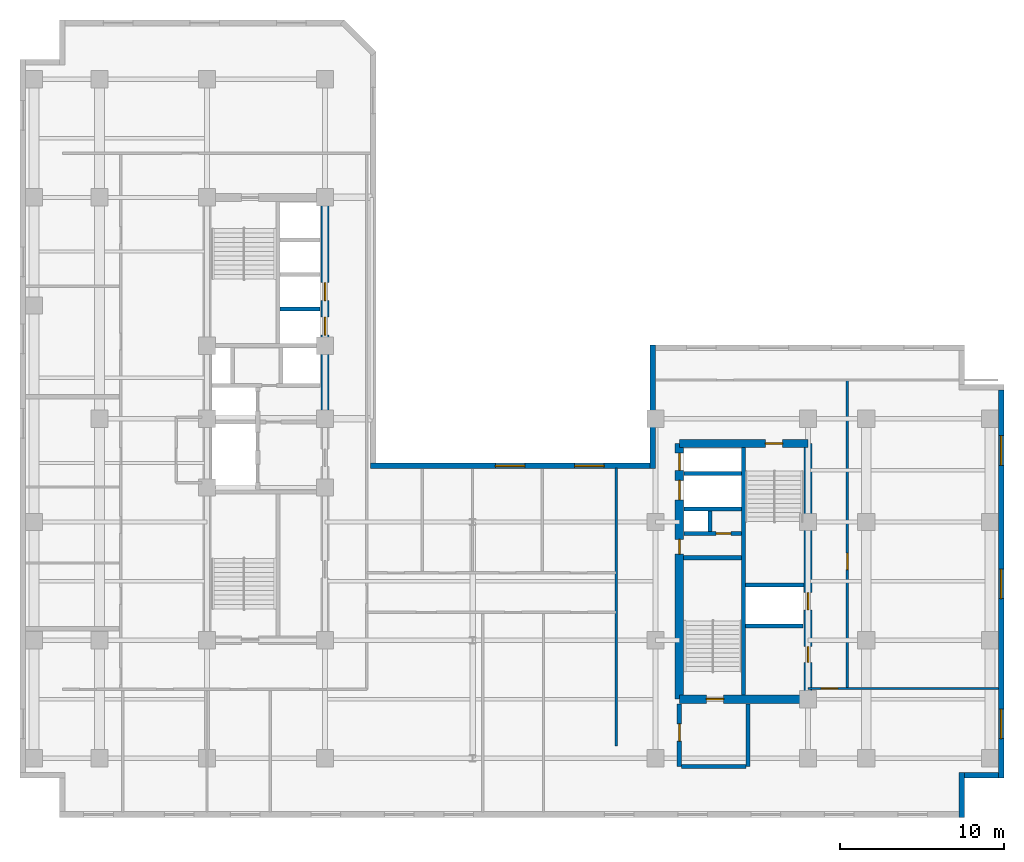
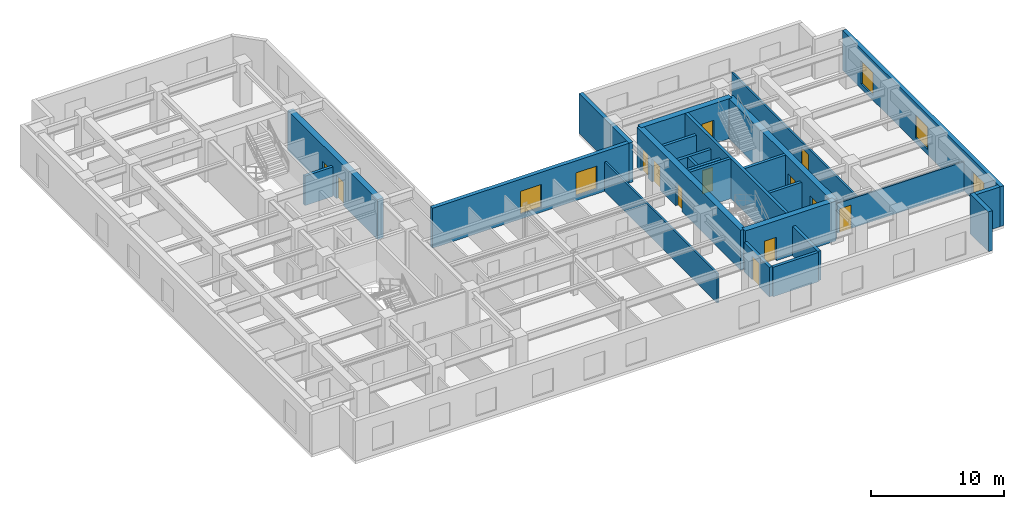
# One storey, part 5 of 9: 25 walls, 13 doors, 5 windows, 18 openings.
"""IFC4 building model written with IfcOpenShell, lengths in metres."""

from ifc_helpers import new_model, entity, si_unit, converted_unit, direction, frame, origin_with_axes, origin_2d_with_axis, place, context, subcontext, project, spatial, polyline, rectangle, outline, extrude, material, layer, layer_set, type_object, element, fill, save


model = new_model("IFC4")

# Units and contexts
model_context = context("Model", 3, precision=1e-05, world=origin_with_axes(), true_north=direction((0.0, 1.0)))
body_context = subcontext(model_context, "Body", "Model", "MODEL_VIEW")
ifc_project = project(units=[si_unit("LENGTHUNIT", "METRE"), si_unit("AREAUNIT", "SQUARE_METRE"), si_unit("VOLUMEUNIT", "CUBIC_METRE"), converted_unit("PLANEANGLEUNIT", "DEGREE", entity("IfcPlaneAngleMeasure", 0.017453292519943295), si_unit("PLANEANGLEUNIT", "RADIAN"), dimensions=[0, 0, 0, 0, 0, 0, 0]), si_unit("MASSUNIT", "GRAM", prefix="KILO"), si_unit("THERMODYNAMICTEMPERATUREUNIT", "KELVIN")], contexts=[model_context])

# Site, building, storey
site_placement = place(None, origin_with_axes())
site = spatial("IfcSite", under=ifc_project, at=site_placement, CompositionType="ELEMENT")
building_placement = place(site_placement, origin_with_axes())
building = spatial("IfcBuilding", under=site, at=building_placement, Name="Varnlund Millrace Tower", CompositionType="ELEMENT")
storey_placement = place(building_placement, frame((0.0, 0.0, 132.9), z_axis=(0.0, 0.0, 1.0), x_axis=(1.0, 0.0, 0.0)))
storey = spatial("IfcBuildingStorey", under=building, at=storey_placement, Name="L32", CompositionType="ELEMENT", Elevation=132.9)

# Wall, openings, doors
ifc_material_1 = material(Name="Concrete C70/85", Category="concrete")
ifc_layer_1 = layer(ifc_material_1, 0.5, Name="Concrete C70/85")
ifc_layer_set_1 = layer_set([ifc_layer_1], Name="Concrete C70/85")
wall_type_1 = type_object("IfcWallType", Name="Type-CoreWall-Shear-500-C70", PredefinedType="SHEAR", material=ifc_layer_set_1)
wall_1_placement = place(storey_placement, frame((18.6, 24.3, 0.0), z_axis=(0.0, 0.0, 1.0), x_axis=(0.0, 1.0, 0.0)))
wall_1 = element("IfcWall", 1, at=wall_1_placement, inside=storey, type_object=wall_type_1, Name="Type-CoreWall-Shear-500-C70", PredefinedType="SHEAR", context=body_context, shape_type="SweptSolid", body=[
    extrude(outline(polyline([(0.0, -0.25), (13.5, -0.25), (13.5, 0.25), (0.0, 0.25), (0.0, -0.25)])), origin_with_axes(), (0.0, 0.0, 1.0), 3.66),
])
opening_1_placement = place(wall_1_placement, frame((5.65, 0.0, 0.0), z_axis=(0.0, 0.0, 1.0), x_axis=(1.0, 0.0, 0.0)))
opening_1 = element("IfcOpeningElement", 2, at=opening_1_placement, cuts=wall_1, Name="Opening L32:LD-ELV-M1", PredefinedType="OPENING", context=body_context, shape_type="SweptSolid", body=[
    extrude(rectangle(XDim=1.1, YDim=0.52, at=origin_2d_with_axis()), origin_with_axes(), (0.0, 0.0, 1.0), 2.15),
])
opening_2_placement = place(wall_1_placement, frame((7.75, 0.0, 0.0), z_axis=(0.0, 0.0, 1.0), x_axis=(1.0, 0.0, 0.0)))
opening_2 = element("IfcOpeningElement", 3, at=opening_2_placement, cuts=wall_1, Name="Opening L32:LD-ELV-M2", PredefinedType="OPENING", context=body_context, shape_type="SweptSolid", body=[
    extrude(rectangle(XDim=1.1, YDim=0.52, at=origin_2d_with_axis()), origin_with_axes(), (0.0, 0.0, 1.0), 2.15),
])
ifc_material_2 = material(Name="Stainless and architectural bronze sliding landing door")
door_type_1 = type_object("IfcDoorType", Name="Type-LiftLandingDoor-1100X2150", OperationType="NOTDEFINED", PredefinedType="DOOR", material=ifc_material_2)
door_1_placement = place(wall_1_placement, frame((5.65, 0.0, 0.0), z_axis=(0.0, 0.0, 1.0), x_axis=(1.0, 0.0, 0.0)))
door_1 = element("IfcDoor", 4, at=door_1_placement, inside=storey, type_object=door_type_1, Name="Type-LiftLandingDoor-1100X2150", OperationType="SLIDING_TO_LEFT", OverallHeight=2.15, OverallWidth=1.1, PredefinedType="DOOR", context=body_context, shape_type="SweptSolid", body=[
    extrude(rectangle(XDim=1.1, YDim=0.09, at=origin_2d_with_axis()), origin_with_axes(), (0.0, 0.0, 1.0), 2.15),
])
fill(opening_1, door_1)
door_2_placement = place(wall_1_placement, frame((7.75, 0.0, 0.0), z_axis=(0.0, 0.0, 1.0), x_axis=(1.0, 0.0, 0.0)))
door_2 = element("IfcDoor", 5, at=door_2_placement, inside=storey, type_object=door_type_1, Name="Type-LiftLandingDoor-1100X2150", OperationType="SLIDING_TO_RIGHT", OverallHeight=2.15, OverallWidth=1.1, PredefinedType="DOOR", context=body_context, shape_type="SweptSolid", body=[
    extrude(rectangle(XDim=1.1, YDim=0.09, at=origin_2d_with_axis()), origin_with_axes(), (0.0, 0.0, 1.0), 2.15),
])
fill(opening_2, door_2)

wall_2_placement = place(storey_placement, frame((40.2, 7.2, 0.0), z_axis=(0.0, 0.0, 1.0), x_axis=(0.0, 1.0, 0.0)))
wall_2 = element("IfcWall", 6, at=wall_2_placement, inside=storey, type_object=wall_type_1, Name="Type-CoreWall-Shear-500-C70", PredefinedType="SHEAR", context=body_context, shape_type="SweptSolid", body=[
    extrude(outline(polyline([(0.0, -0.25), (15.6, -0.25), (15.6, 0.25), (0.0, 0.25), (0.0, -0.25)])), origin_with_axes(), (0.0, 0.0, 1.0), 3.66),
])
opening_3_placement = place(wall_2_placement, frame((14.475, 0.0, 0.0), z_axis=(0.0, 0.0, 1.0), x_axis=(1.0, 0.0, 0.0)))
opening_3 = element("IfcOpeningElement", 7, at=opening_3_placement, cuts=wall_2, Name="Opening L32:LD-ELV-M4", PredefinedType="OPENING", context=body_context, shape_type="SweptSolid", body=[
    extrude(rectangle(XDim=1.05, YDim=0.52, at=origin_2d_with_axis()), origin_with_axes(), (0.0, 0.0, 1.0), 2.15),
])
opening_4_placement = place(wall_2_placement, frame((12.75, 0.0, 0.0), z_axis=(0.0, 0.0, 1.0), x_axis=(1.0, 0.0, 0.0)))
opening_4 = element("IfcOpeningElement", 8, at=opening_4_placement, cuts=wall_2, Name="Opening L32:LD-SRV2", PredefinedType="OPENING", context=body_context, shape_type="SweptSolid", body=[
    extrude(rectangle(XDim=1.2, YDim=0.52, at=origin_2d_with_axis()), origin_with_axes(), (0.0, 0.0, 1.0), 2.15),
])
opening_5_placement = place(wall_2_placement, frame((9.3, 0.0, 0.0), z_axis=(0.0, 0.0, 1.0), x_axis=(1.0, 0.0, 0.0)))
opening_5 = element("IfcOpeningElement", 9, at=opening_5_placement, cuts=wall_2, Name="Opening L32:DR-CB-JAN", PredefinedType="OPENING", context=body_context, shape_type="SweptSolid", body=[
    extrude(rectangle(XDim=0.9, YDim=0.52, at=origin_2d_with_axis()), origin_with_axes(), (0.0, 0.0, 1.0), 2.15),
])
ifc_material_3 = material(Name="Fire-rated hollow steel service closet door", Category="steel")
door_type_2 = type_object("IfcDoorType", Name="Type-FireDoor-Closet-900X2150", OperationType="NOTDEFINED", PredefinedType="DOOR", material=ifc_material_3)
door_3_placement = place(wall_2_placement, frame((9.3, 0.0, 0.0), z_axis=(0.0, 0.0, 1.0), x_axis=(1.0, 0.0, 0.0)))
door_3 = element("IfcDoor", 10, at=door_3_placement, inside=storey, type_object=door_type_2, Name="Type-FireDoor-Closet-900X2150", OperationType="SINGLE_SWING_RIGHT", OverallHeight=2.15, OverallWidth=0.9, PredefinedType="DOOR", context=body_context, shape_type="SweptSolid", body=[
    extrude(rectangle(XDim=0.9, YDim=0.09, at=origin_2d_with_axis()), origin_with_axes(), (0.0, 0.0, 1.0), 2.15),
])
fill(opening_5, door_3)
ifc_material_4 = material(Name="Architectural bronze sliding landing door")
door_type_3 = type_object("IfcDoorType", Name="Type-LiftLandingDoor-Compact-1050X2150", OperationType="NOTDEFINED", PredefinedType="DOOR", material=ifc_material_4)
door_4_placement = place(wall_2_placement, frame((14.475, 0.0, 0.0), z_axis=(0.0, 0.0, 1.0), x_axis=(1.0, 0.0, 0.0)))
door_4 = element("IfcDoor", 11, at=door_4_placement, inside=storey, type_object=door_type_3, Name="Type-LiftLandingDoor-Compact-1050X2150", OperationType="SLIDING_TO_RIGHT", OverallHeight=2.15, OverallWidth=1.05, PredefinedType="DOOR", context=body_context, shape_type="SweptSolid", body=[
    extrude(rectangle(XDim=1.05, YDim=0.09, at=origin_2d_with_axis()), origin_with_axes(), (0.0, 0.0, 1.0), 2.15),
])
fill(opening_3, door_4)
ifc_material_5 = material(Name="Heavy-duty freight sliding landing door")
door_type_4 = type_object("IfcDoorType", Name="Type-LiftLandingDoor-Service-1200X2150", OperationType="NOTDEFINED", PredefinedType="DOOR", material=ifc_material_5)
door_5_placement = place(wall_2_placement, frame((12.75, 0.0, 0.0), z_axis=(0.0, 0.0, 1.0), x_axis=(1.0, 0.0, 0.0)))
door_5 = element("IfcDoor", 12, at=door_5_placement, inside=storey, type_object=door_type_4, Name="Type-LiftLandingDoor-Service-1200X2150", OperationType="DOUBLE_DOOR_SLIDING", OverallHeight=2.15, OverallWidth=1.2, PredefinedType="DOOR", context=body_context, shape_type="SweptSolid", body=[
    extrude(rectangle(XDim=1.2, YDim=0.09, at=origin_2d_with_axis()), origin_with_axes(), (0.0, 0.0, 1.0), 2.15),
])
fill(opening_4, door_5)

# Wall, opening, door
wall_3_placement = place(storey_placement, frame((40.2, 7.2, 0.0), z_axis=(0.0, 0.0, 1.0), x_axis=(1.0, 0.0, 0.0)))
wall_3 = element("IfcWall", 13, at=wall_3_placement, inside=storey, type_object=wall_type_1, Name="Type-CoreWall-Shear-500-C70", PredefinedType="SHEAR", context=body_context, shape_type="SweptSolid", body=[
    extrude(outline(polyline([(0.0, -0.25), (7.85, -0.25), (7.85, 0.25), (0.0, 0.25), (0.0, -0.25)])), origin_with_axes(), (0.0, 0.0, 1.0), 3.66),
])
opening_6_placement = place(wall_3_placement, frame((2.175, 0.0, 0.0), z_axis=(0.0, 0.0, 1.0), x_axis=(1.0, 0.0, 0.0)))
opening_6 = element("IfcOpeningElement", 14, at=opening_6_placement, cuts=wall_3, Name="Opening L32:DR-STB1", PredefinedType="OPENING", context=body_context, shape_type="SweptSolid", body=[
    extrude(rectangle(XDim=1.05, YDim=0.52, at=origin_2d_with_axis()), origin_with_axes(), (0.0, 0.0, 1.0), 2.15),
])
ifc_material_6 = material(Name="Fire-rated hollow steel door", Category="steel")
door_type_5 = type_object("IfcDoorType", Name="Type-FireDoor-Stair-1050X2150", OperationType="NOTDEFINED", PredefinedType="DOOR", material=ifc_material_6)
door_6_placement = place(wall_3_placement, frame((2.175, 0.0, 0.0), z_axis=(0.0, 0.0, 1.0), x_axis=(1.0, 0.0, 0.0)))
door_6 = element("IfcDoor", 15, at=door_6_placement, inside=storey, type_object=door_type_5, Name="Type-FireDoor-Stair-1050X2150", OperationType="SINGLE_SWING_LEFT", OverallHeight=2.15, OverallWidth=1.05, PredefinedType="DOOR", context=body_context, shape_type="SweptSolid", body=[
    extrude(rectangle(XDim=1.05, YDim=0.09, at=origin_2d_with_axis()), origin_with_axes(), (0.0, 0.0, 1.0), 2.15),
])
fill(opening_6, door_6)

wall_4_placement = place(storey_placement, frame((40.2, 22.8, 0.0), z_axis=(0.0, 0.0, 1.0), x_axis=(1.0, 0.0, 0.0)))
wall_4 = element("IfcWall", 16, at=wall_4_placement, inside=storey, type_object=wall_type_1, Name="Type-CoreWall-Shear-500-C70", PredefinedType="SHEAR", context=body_context, shape_type="SweptSolid", body=[
    extrude(outline(polyline([(0.0, -0.25), (7.85, -0.25), (7.85, 0.25), (0.0, 0.25), (0.0, -0.25)])), origin_with_axes(), (0.0, 0.0, 1.0), 3.66),
])
opening_7_placement = place(wall_4_placement, frame((5.775, 0.0, 0.0), z_axis=(0.0, 0.0, 1.0), x_axis=(1.0, 0.0, 0.0)))
opening_7 = element("IfcOpeningElement", 17, at=opening_7_placement, cuts=wall_4, Name="Opening L32:DR-STB2", PredefinedType="OPENING", context=body_context, shape_type="SweptSolid", body=[
    extrude(rectangle(XDim=1.05, YDim=0.52, at=origin_2d_with_axis()), origin_with_axes(), (0.0, 0.0, 1.0), 2.15),
])
door_7_placement = place(wall_4_placement, frame((5.775, 0.0, 0.0), z_axis=(0.0, 0.0, 1.0), x_axis=(1.0, 0.0, 0.0)))
door_7 = element("IfcDoor", 18, at=door_7_placement, inside=storey, type_object=door_type_5, Name="Type-FireDoor-Stair-1050X2150", OperationType="SINGLE_SWING_RIGHT", OverallHeight=2.15, OverallWidth=1.05, PredefinedType="DOOR", context=body_context, shape_type="SweptSolid", body=[
    extrude(rectangle(XDim=1.05, YDim=0.09, at=origin_2d_with_axis()), origin_with_axes(), (0.0, 0.0, 1.0), 2.15),
])
fill(opening_7, door_7)

# Wall, openings, doors
wall_5_placement = place(storey_placement, frame((48.05, 7.2, 0.0), z_axis=(0.0, 0.0, 1.0), x_axis=(0.0, 1.0, 0.0)))
wall_5 = element("IfcWall", 19, at=wall_5_placement, inside=storey, type_object=wall_type_1, Name="Type-CoreWall-Shear-500-C70", PredefinedType="SHEAR", context=body_context, shape_type="SweptSolid", body=[
    extrude(outline(polyline([(0.0, -0.25), (15.6, -0.25), (15.6, 0.25), (0.0, 0.25), (0.0, -0.25)])), origin_with_axes(), (0.0, 0.0, 1.0), 3.66),
])
opening_8_placement = place(wall_5_placement, frame((5.975, 0.0, 0.0), z_axis=(0.0, 0.0, 1.0), x_axis=(1.0, 0.0, 0.0)))
opening_8 = element("IfcOpeningElement", 20, at=opening_8_placement, cuts=wall_5, Name="Opening L32:LD-ELV-M3", PredefinedType="OPENING", context=body_context, shape_type="SweptSolid", body=[
    extrude(rectangle(XDim=1.05, YDim=0.52, at=origin_2d_with_axis()), origin_with_axes(), (0.0, 0.0, 1.0), 2.15),
])
opening_9_placement = place(wall_5_placement, frame((2.725, 0.0, 0.0), z_axis=(0.0, 0.0, 1.0), x_axis=(1.0, 0.0, 0.0)))
opening_9 = element("IfcOpeningElement", 21, at=opening_9_placement, cuts=wall_5, Name="Opening L32:DR-CB-WC", PredefinedType="OPENING", context=body_context, shape_type="SweptSolid", body=[
    extrude(rectangle(XDim=0.95, YDim=0.52, at=origin_2d_with_axis()), origin_with_axes(), (0.0, 0.0, 1.0), 2.15),
])
ifc_material_7 = material(Name="Fire-rated hollow steel core service door", Category="steel")
door_type_6 = type_object("IfcDoorType", Name="Type-FireDoor-Service-950X2150", OperationType="NOTDEFINED", PredefinedType="DOOR", material=ifc_material_7)
door_8_placement = place(wall_5_placement, frame((2.725, 0.0, 0.0), z_axis=(0.0, 0.0, 1.0), x_axis=(1.0, 0.0, 0.0)))
door_8 = element("IfcDoor", 22, at=door_8_placement, inside=storey, type_object=door_type_6, Name="Type-FireDoor-Service-950X2150", OperationType="SINGLE_SWING_LEFT", OverallHeight=2.15, OverallWidth=0.95, PredefinedType="DOOR", context=body_context, shape_type="SweptSolid", body=[
    extrude(rectangle(XDim=0.95, YDim=0.09, at=origin_2d_with_axis()), origin_with_axes(), (0.0, 0.0, 1.0), 2.15),
])
fill(opening_9, door_8)
door_9_placement = place(wall_5_placement, frame((5.975, 0.0, 0.0), z_axis=(0.0, 0.0, 1.0), x_axis=(1.0, 0.0, 0.0)))
door_9 = element("IfcDoor", 23, at=door_9_placement, inside=storey, type_object=door_type_3, Name="Type-LiftLandingDoor-Compact-1050X2150", OperationType="SLIDING_TO_LEFT", OverallHeight=2.15, OverallWidth=1.05, PredefinedType="DOOR", context=body_context, shape_type="SweptSolid", body=[
    extrude(rectangle(XDim=1.05, YDim=0.09, at=origin_2d_with_axis()), origin_with_axes(), (0.0, 0.0, 1.0), 2.15),
])
fill(opening_8, door_9)

# Wall
ifc_material_8 = material(Name="Precast concrete C50/60", Category="concrete")
ifc_layer_2 = layer(ifc_material_8, 0.34, Name="Precast concrete C50/60")
ifc_layer_set_2 = layer_set([ifc_layer_2], Name="Precast concrete C50/60")
wall_type_2 = type_object("IfcWallType", Name="Type-ExtWall-Precast-Upper-340", PredefinedType="SOLIDWALL", material=ifc_layer_set_2)
wall_6_placement = place(storey_placement, frame((38.57, 21.26, 0.0), z_axis=(0.0, 0.0, 1.0), x_axis=(0.0, 1.0, 0.0)))
element("IfcWall", 24, at=wall_6_placement, inside=storey, type_object=wall_type_2, Name="Type-ExtWall-Precast-Upper-340", PredefinedType="SOLIDWALL", context=body_context, shape_type="SweptSolid", body=[
    extrude(outline(polyline([(0.0, -0.17), (7.54, -0.17), (7.54, 0.17), (0.0, 0.17), (0.0, -0.17)])), origin_with_axes(), (0.0, 0.0, 1.0), 3.66),
])

# Wall, openings, windows
wall_7_placement = place(storey_placement, frame((59.83, 26.06, 0.0), z_axis=(0.0, 0.0, 1.0), x_axis=(0.0, -1.0, 0.0)))
wall_7 = element("IfcWall", 25, at=wall_7_placement, inside=storey, type_object=wall_type_2, Name="Type-ExtWall-Precast-Upper-340", PredefinedType="SOLIDWALL", context=body_context, shape_type="SweptSolid", body=[
    extrude(outline(polyline([(0.0, -0.17), (23.66, -0.17), (23.66, 0.17), (0.0, 0.17), (0.0, -0.17)])), origin_with_axes(), (0.0, 0.0, 1.0), 3.66),
])
opening_10_placement = place(wall_7_placement, frame((3.696, 0.0, 0.45), z_axis=(0.0, 0.0, 1.0), x_axis=(1.0, 0.0, 0.0)))
opening_10 = element("IfcOpeningElement", 26, at=opening_10_placement, cuts=wall_7, Name="Opening L32:WN-05", PredefinedType="OPENING", context=body_context, shape_type="SweptSolid", body=[
    extrude(rectangle(XDim=1.8, YDim=0.36, at=origin_2d_with_axis()), origin_with_axes(), (0.0, 0.0, 1.0), 2.1),
])
opening_11_placement = place(wall_7_placement, frame((11.83, 0.0, 0.45), z_axis=(0.0, 0.0, 1.0), x_axis=(1.0, 0.0, 0.0)))
opening_11 = element("IfcOpeningElement", 27, at=opening_11_placement, cuts=wall_7, Name="Opening L32:WN-06", PredefinedType="OPENING", context=body_context, shape_type="SweptSolid", body=[
    extrude(rectangle(XDim=1.8, YDim=0.36, at=origin_2d_with_axis()), origin_with_axes(), (0.0, 0.0, 1.0), 2.1),
])
opening_12_placement = place(wall_7_placement, frame((20.364, 0.0, 0.45), z_axis=(0.0, 0.0, 1.0), x_axis=(1.0, 0.0, 0.0)))
opening_12 = element("IfcOpeningElement", 28, at=opening_12_placement, cuts=wall_7, Name="Opening L32:WN-07", PredefinedType="OPENING", context=body_context, shape_type="SweptSolid", body=[
    extrude(rectangle(XDim=1.8, YDim=0.36, at=origin_2d_with_axis()), origin_with_axes(), (0.0, 0.0, 1.0), 2.1),
])
ifc_material_9 = material(Name="Argon low-e triple glazing in thermally broken bronze frame", Category="glass")
window_type = type_object("IfcWindowType", Name="Type-Window-Punched-1800X2100", PartitioningType="SINGLE_PANEL", PredefinedType="WINDOW", material=ifc_material_9)
window_1_placement = place(wall_7_placement, frame((3.696, 0.0, 0.45), z_axis=(0.0, 0.0, 1.0), x_axis=(1.0, 0.0, 0.0)))
window_1 = element("IfcWindow", 29, at=window_1_placement, inside=storey, type_object=window_type, Name="Type-Window-Punched-1800X2100", OverallHeight=2.1, OverallWidth=1.8, PredefinedType="WINDOW", context=body_context, shape_type="SweptSolid", body=[
    extrude(rectangle(XDim=1.8, YDim=0.09, at=origin_2d_with_axis()), origin_with_axes(), (0.0, 0.0, 1.0), 2.1),
])
fill(opening_10, window_1)
window_2_placement = place(wall_7_placement, frame((11.83, 0.0, 0.45), z_axis=(0.0, 0.0, 1.0), x_axis=(1.0, 0.0, 0.0)))
window_2 = element("IfcWindow", 30, at=window_2_placement, inside=storey, type_object=window_type, Name="Type-Window-Punched-1800X2100", OverallHeight=2.1, OverallWidth=1.8, PredefinedType="WINDOW", context=body_context, shape_type="SweptSolid", body=[
    extrude(rectangle(XDim=1.8, YDim=0.09, at=origin_2d_with_axis()), origin_with_axes(), (0.0, 0.0, 1.0), 2.1),
])
fill(opening_11, window_2)
window_3_placement = place(wall_7_placement, frame((20.364, 0.0, 0.45), z_axis=(0.0, 0.0, 1.0), x_axis=(1.0, 0.0, 0.0)))
window_3 = element("IfcWindow", 31, at=window_3_placement, inside=storey, type_object=window_type, Name="Type-Window-Punched-1800X2100", OverallHeight=2.1, OverallWidth=1.8, PredefinedType="WINDOW", context=body_context, shape_type="SweptSolid", body=[
    extrude(rectangle(XDim=1.8, YDim=0.09, at=origin_2d_with_axis()), origin_with_axes(), (0.0, 0.0, 1.0), 2.1),
])
fill(opening_12, window_3)

# Walls
wall_8_placement = place(storey_placement, frame((59.66, 2.57, 0.0), z_axis=(0.0, 0.0, 1.0), x_axis=(-1.0, 0.0, 0.0)))
element("IfcWall", 32, at=wall_8_placement, inside=storey, type_object=wall_type_2, Name="Type-ExtWall-Precast-Upper-340", PredefinedType="SOLIDWALL", context=body_context, shape_type="SweptSolid", body=[
    extrude(outline(polyline([(0.0, -0.17), (2.06, -0.17), (2.06, 0.17), (0.0, 0.17), (0.0, -0.17)])), origin_with_axes(), (0.0, 0.0, 1.0), 3.66),
])
wall_9_placement = place(storey_placement, frame((57.43, 2.74, 0.0), z_axis=(0.0, 0.0, 1.0), x_axis=(0.0, -1.0, 0.0)))
element("IfcWall", 33, at=wall_9_placement, inside=storey, type_object=wall_type_2, Name="Type-ExtWall-Precast-Upper-340", PredefinedType="SOLIDWALL", context=body_context, shape_type="SweptSolid", body=[
    extrude(outline(polyline([(0.0, -0.17), (2.74, -0.17), (2.74, 0.17), (0.0, 0.17), (0.0, -0.17)])), origin_with_axes(), (0.0, 0.0, 1.0), 3.66),
])

# Wall, openings, windows
wall_10_placement = place(storey_placement, frame((21.364, 21.43, 0.0), z_axis=(0.0, 0.0, 1.0), x_axis=(1.0, 0.0, 0.0)))
wall_10 = element("IfcWall", 34, at=wall_10_placement, inside=storey, type_object=wall_type_2, Name="Type-ExtWall-Precast-Upper-340", PredefinedType="SOLIDWALL", context=body_context, shape_type="SweptSolid", body=[
    extrude(outline(polyline([(0.0, -0.17), (17.036, -0.17), (17.036, 0.17), (0.0, 0.17), (0.0, -0.17)])), origin_with_axes(), (0.0, 0.0, 1.0), 3.66),
])
opening_13_placement = place(wall_10_placement, frame((8.518, 0.0, 0.45), z_axis=(0.0, 0.0, 1.0), x_axis=(1.0, 0.0, 0.0)))
opening_13 = element("IfcOpeningElement", 35, at=opening_13_placement, cuts=wall_10, Name="Opening L32:WN-28", PredefinedType="OPENING", context=body_context, shape_type="SweptSolid", body=[
    extrude(rectangle(XDim=1.8, YDim=0.36, at=origin_2d_with_axis()), origin_with_axes(), (0.0, 0.0, 1.0), 2.1),
])
opening_14_placement = place(wall_10_placement, frame((13.347, 0.0, 0.45), z_axis=(0.0, 0.0, 1.0), x_axis=(1.0, 0.0, 0.0)))
opening_14 = element("IfcOpeningElement", 36, at=opening_14_placement, cuts=wall_10, Name="Opening L32:WN-29", PredefinedType="OPENING", context=body_context, shape_type="SweptSolid", body=[
    extrude(rectangle(XDim=1.8, YDim=0.36, at=origin_2d_with_axis()), origin_with_axes(), (0.0, 0.0, 1.0), 2.1),
])
window_4_placement = place(wall_10_placement, frame((8.518, 0.0, 0.45), z_axis=(0.0, 0.0, 1.0), x_axis=(1.0, 0.0, 0.0)))
window_4 = element("IfcWindow", 37, at=window_4_placement, inside=storey, type_object=window_type, Name="Type-Window-Punched-1800X2100", OverallHeight=2.1, OverallWidth=1.8, PredefinedType="WINDOW", context=body_context, shape_type="SweptSolid", body=[
    extrude(rectangle(XDim=1.8, YDim=0.09, at=origin_2d_with_axis()), origin_with_axes(), (0.0, 0.0, 1.0), 2.1),
])
fill(opening_13, window_4)
window_5_placement = place(wall_10_placement, frame((13.347, 0.0, 0.45), z_axis=(0.0, 0.0, 1.0), x_axis=(1.0, 0.0, 0.0)))
window_5 = element("IfcWindow", 38, at=window_5_placement, inside=storey, type_object=window_type, Name="Type-Window-Punched-1800X2100", OverallHeight=2.1, OverallWidth=1.8, PredefinedType="WINDOW", context=body_context, shape_type="SweptSolid", body=[
    extrude(rectangle(XDim=1.8, YDim=0.09, at=origin_2d_with_axis()), origin_with_axes(), (0.0, 0.0, 1.0), 2.1),
])
fill(opening_14, window_5)

# Wall
ifc_material_10 = material(Name="Fire-rated gypsum board on cold-formed steel framing", Category="steel")
ifc_layer_3 = layer(ifc_material_10, 0.16, Name="Fire-rated gypsum board on cold-formed steel framing")
ifc_layer_set_3 = layer_set([ifc_layer_3], Name="Fire-rated gypsum board on cold-formed steel framing")
wall_type_3 = type_object("IfcWallType", Name="Type-Partition-Corridor-160", PredefinedType="PARTITIONING", material=ifc_layer_set_3)
wall_11_placement = place(storey_placement, frame((36.35, 4.35, 0.0), z_axis=(0.0, 0.0, 1.0), x_axis=(0.0, 1.0, 0.0)))
element("IfcWall", 39, at=wall_11_placement, inside=storey, type_object=wall_type_3, Name="Type-Partition-Corridor-160", PredefinedType="PARTITIONING", context=body_context, shape_type="SweptSolid", body=[
    extrude(outline(polyline([(0.0, -0.08), (16.95, -0.08), (16.95, 0.08), (0.0, 0.08), (0.0, -0.08)])), origin_with_axes(), (0.0, 0.0, 1.0), 2.7),
])

# Wall, opening, door
wall_12_placement = place(storey_placement, frame((50.45, 7.85, 0.0), z_axis=(0.0, 0.0, 1.0), x_axis=(0.0, 1.0, 0.0)))
wall_12 = element("IfcWall", 40, at=wall_12_placement, inside=storey, type_object=wall_type_3, Name="Type-Partition-Corridor-160", PredefinedType="PARTITIONING", context=body_context, shape_type="SweptSolid", body=[
    extrude(outline(polyline([(0.0, -0.08), (18.8, -0.08), (18.8, 0.08), (0.0, 0.08), (0.0, -0.08)])), origin_with_axes(), (0.0, 0.0, 1.0), 2.7),
])
opening_15_placement = place(wall_12_placement, frame((7.75, 0.0, 0.0), z_axis=(0.0, 0.0, 1.0), x_axis=(1.0, 0.0, 0.0)))
opening_15 = element("IfcOpeningElement", 41, at=opening_15_placement, cuts=wall_12, Name="Opening L32:DR-WB-01", PredefinedType="OPENING", context=body_context, shape_type="SweptSolid", body=[
    extrude(rectangle(XDim=1.0, YDim=0.18, at=origin_2d_with_axis()), origin_with_axes(), (0.0, 0.0, 1.0), 2.15),
])
ifc_material_11 = material(Name="Solid-core white oak and bronze frame door")
door_type_7 = type_object("IfcDoorType", Name="Type-IntDoor-Office-1000X2150", OperationType="NOTDEFINED", PredefinedType="DOOR", material=ifc_material_11)
door_10_placement = place(wall_12_placement, frame((7.75, 0.0, 0.0), z_axis=(0.0, 0.0, 1.0), x_axis=(1.0, 0.0, 0.0)))
door_10 = element("IfcDoor", 42, at=door_10_placement, inside=storey, type_object=door_type_7, Name="Type-IntDoor-Office-1000X2150", OperationType="SINGLE_SWING_LEFT", OverallHeight=2.15, OverallWidth=1.0, PredefinedType="DOOR", context=body_context, shape_type="SweptSolid", body=[
    extrude(rectangle(XDim=1.0, YDim=0.09, at=origin_2d_with_axis()), origin_with_axes(), (0.0, 0.0, 1.0), 2.15),
])
fill(opening_15, door_10)

ifc_material_12 = material(Name="Gypsum board tenant partition", Category="gypsum")
ifc_layer_4 = layer(ifc_material_12, 0.125, Name="Gypsum board tenant partition")
ifc_layer_set_4 = layer_set([ifc_layer_4], Name="Gypsum board tenant partition")
wall_type_4 = type_object("IfcWallType", Name="Type-Partition-Tenant-125", PredefinedType="PARTITIONING", material=ifc_layer_set_4)
wall_13_placement = place(storey_placement, frame((59.665, 7.85, 0.0), z_axis=(0.0, 0.0, 1.0), x_axis=(-1.0, 0.0, 0.0)))
wall_13 = element("IfcWall", 43, at=wall_13_placement, inside=storey, type_object=wall_type_4, Name="Type-Partition-Tenant-125", PredefinedType="PARTITIONING", context=body_context, shape_type="SweptSolid", body=[
    extrude(outline(polyline([(0.0, -0.0625), (11.615, -0.0625), (11.615, 0.0625), (0.0, 0.0625), (0.0, -0.0625)])), origin_with_axes(), (0.0, 0.0, 1.0), 2.7),
])
opening_16_placement = place(wall_13_placement, frame((10.315, 0.0, 0.0), z_axis=(0.0, 0.0, 1.0), x_axis=(1.0, 0.0, 0.0)))
opening_16 = element("IfcOpeningElement", 44, at=opening_16_placement, cuts=wall_13, Name="Opening L32:DR-WBS-01", PredefinedType="OPENING", context=body_context, shape_type="SweptSolid", body=[
    extrude(rectangle(XDim=1.0, YDim=0.145, at=origin_2d_with_axis()), origin_with_axes(), (0.0, 0.0, 1.0), 2.15),
])
door_11_placement = place(wall_13_placement, frame((10.315, 0.0, 0.0), z_axis=(0.0, 0.0, 1.0), x_axis=(1.0, 0.0, 0.0)))
door_11 = element("IfcDoor", 45, at=door_11_placement, inside=storey, type_object=door_type_7, Name="Type-IntDoor-Office-1000X2150", OperationType="SINGLE_SWING_LEFT", OverallHeight=2.15, OverallWidth=1.0, PredefinedType="DOOR", context=body_context, shape_type="SweptSolid", body=[
    extrude(rectangle(XDim=1.0, YDim=0.075, at=origin_2d_with_axis()), origin_with_axes(), (0.0, 0.0, 1.0), 2.15),
])
fill(opening_16, door_11)

ifc_material_13 = material(Name="Concrete C60/75", Category="concrete")
ifc_layer_5 = layer(ifc_material_13, 0.25, Name="Concrete C60/75")
ifc_layer_set_5 = layer_set([ifc_layer_5], Name="Concrete C60/75")
wall_type_5 = type_object("IfcWallType", Name="Type-ShaftWall-Fire-250", PredefinedType="SOLIDWALL", material=ifc_layer_set_5)
wall_14_placement = place(storey_placement, frame((40.5, 17.3, 0.0), z_axis=(0.0, 0.0, 1.0), x_axis=(1.0, 0.0, 0.0)))
wall_14 = element("IfcWall", 46, at=wall_14_placement, inside=storey, type_object=wall_type_5, Name="Type-ShaftWall-Fire-250", PredefinedType="SOLIDWALL", context=body_context, shape_type="SweptSolid", body=[
    extrude(outline(polyline([(0.0, -0.125), (3.5, -0.125), (3.5, 0.125), (0.0, 0.125), (0.0, -0.125)])), origin_with_axes(), (0.0, 0.0, 1.0), 2.7),
])
opening_17_placement = place(wall_14_placement, frame((2.4, 0.0, 0.0), z_axis=(0.0, 0.0, 1.0), x_axis=(1.0, 0.0, 0.0)))
opening_17 = element("IfcOpeningElement", 47, at=opening_17_placement, cuts=wall_14, Name="Opening L32:DR-CB-ELC", PredefinedType="OPENING", context=body_context, shape_type="SweptSolid", body=[
    extrude(rectangle(XDim=0.9, YDim=0.27, at=origin_2d_with_axis()), origin_with_axes(), (0.0, 0.0, 1.0), 2.15),
])
door_12_placement = place(wall_14_placement, frame((2.4, 0.0, 0.0), z_axis=(0.0, 0.0, 1.0), x_axis=(1.0, 0.0, 0.0)))
door_12 = element("IfcDoor", 48, at=door_12_placement, inside=storey, type_object=door_type_2, Name="Type-FireDoor-Closet-900X2150", OperationType="SINGLE_SWING_LEFT", OverallHeight=2.15, OverallWidth=0.9, PredefinedType="DOOR", context=body_context, shape_type="SweptSolid", body=[
    extrude(rectangle(XDim=0.9, YDim=0.09, at=origin_2d_with_axis()), origin_with_axes(), (0.0, 0.0, 1.0), 2.15),
])
fill(opening_17, door_12)

# Walls
wall_15_placement = place(storey_placement, frame((40.5, 18.8, 0.0), z_axis=(0.0, 0.0, 1.0), x_axis=(1.0, 0.0, 0.0)))
element("IfcWall", 49, at=wall_15_placement, inside=storey, type_object=wall_type_5, Name="Type-ShaftWall-Fire-250", PredefinedType="SOLIDWALL", context=body_context, shape_type="SweptSolid", body=[
    extrude(outline(polyline([(0.0, -0.125), (3.5, -0.125), (3.5, 0.125), (0.0, 0.125), (0.0, -0.125)])), origin_with_axes(), (0.0, 0.0, 1.0), 2.7),
])
wall_16_placement = place(storey_placement, frame((42.075, 17.43, 0.0), z_axis=(0.0, 0.0, 1.0), x_axis=(0.0, 1.0, 0.0)))
element("IfcWall", 50, at=wall_16_placement, inside=storey, type_object=wall_type_5, Name="Type-ShaftWall-Fire-250", PredefinedType="SOLIDWALL", context=body_context, shape_type="SweptSolid", body=[
    extrude(outline(polyline([(0.0, -0.125), (1.24, -0.125), (1.24, 0.125), (0.0, 0.125), (0.0, -0.125)])), origin_with_axes(), (0.0, 0.0, 1.0), 2.7),
])

# Wall, opening, door
wall_17_placement = place(storey_placement, frame((40.2, 3.1, 0.0), z_axis=(0.0, 0.0, 1.0), x_axis=(0.0, 1.0, 0.0)))
wall_17 = element("IfcWall", 51, at=wall_17_placement, inside=storey, type_object=wall_type_5, Name="Type-ShaftWall-Fire-250", PredefinedType="SOLIDWALL", context=body_context, shape_type="SweptSolid", body=[
    extrude(outline(polyline([(0.0, -0.125), (3.8, -0.125), (3.8, 0.125), (0.0, 0.125), (0.0, -0.125)])), origin_with_axes(), (0.0, 0.0, 1.0), 2.7),
])
opening_18_placement = place(wall_17_placement, frame((2.075, 0.0, 0.0), z_axis=(0.0, 0.0, 1.0), x_axis=(1.0, 0.0, 0.0)))
opening_18 = element("IfcOpeningElement", 52, at=opening_18_placement, cuts=wall_17, Name="Opening L32:DR-FFLOB-B", PredefinedType="OPENING", context=body_context, shape_type="SweptSolid", body=[
    extrude(rectangle(XDim=1.05, YDim=0.27, at=origin_2d_with_axis()), origin_with_axes(), (0.0, 0.0, 1.0), 2.15),
])
ifc_material_14 = material(Name="Smoke-barrier hollow steel fire door", Category="steel")
door_type_8 = type_object("IfcDoorType", Name="Type-FireDoor-Lobby-1050X2150", OperationType="NOTDEFINED", PredefinedType="DOOR", material=ifc_material_14)
door_13_placement = place(wall_17_placement, frame((2.075, 0.0, 0.0), z_axis=(0.0, 0.0, 1.0), x_axis=(1.0, 0.0, 0.0)))
door_13 = element("IfcDoor", 53, at=door_13_placement, inside=storey, type_object=door_type_8, Name="Type-FireDoor-Lobby-1050X2150", OperationType="SINGLE_SWING_LEFT", OverallHeight=2.15, OverallWidth=1.05, PredefinedType="DOOR", context=body_context, shape_type="SweptSolid", body=[
    extrude(rectangle(XDim=1.05, YDim=0.09, at=origin_2d_with_axis()), origin_with_axes(), (0.0, 0.0, 1.0), 2.15),
])
fill(opening_18, door_13)

# Walls
wall_18_placement = place(storey_placement, frame((40.325, 3.1, 0.0), z_axis=(0.0, 0.0, 1.0), x_axis=(1.0, 0.0, 0.0)))
element("IfcWall", 54, at=wall_18_placement, inside=storey, type_object=wall_type_5, Name="Type-ShaftWall-Fire-250", PredefinedType="SOLIDWALL", context=body_context, shape_type="SweptSolid", body=[
    extrude(outline(polyline([(0.0, -0.125), (3.95, -0.125), (3.95, 0.125), (0.0, 0.125), (0.0, -0.125)])), origin_with_axes(), (0.0, 0.0, 1.0), 2.7),
])
wall_19_placement = place(storey_placement, frame((44.4, 3.1, 0.0), z_axis=(0.0, 0.0, 1.0), x_axis=(0.0, 1.0, 0.0)))
element("IfcWall", 55, at=wall_19_placement, inside=storey, type_object=wall_type_5, Name="Type-ShaftWall-Fire-250", PredefinedType="SOLIDWALL", context=body_context, shape_type="SweptSolid", body=[
    extrude(outline(polyline([(0.0, -0.125), (3.8, -0.125), (3.8, 0.125), (0.0, 0.125), (0.0, -0.125)])), origin_with_axes(), (0.0, 0.0, 1.0), 2.7),
])
wall_20_placement = place(storey_placement, frame((15.84, 31.0, 0.0), z_axis=(0.0, 0.0, 1.0), x_axis=(1.0, 0.0, 0.0)))
element("IfcWall", 56, at=wall_20_placement, inside=storey, type_object=wall_type_5, Name="Type-ShaftWall-Fire-250", PredefinedType="SOLIDWALL", context=body_context, shape_type="SweptSolid", body=[
    extrude(outline(polyline([(0.0, -0.125), (2.46, -0.125), (2.46, 0.125), (0.0, 0.125), (0.0, -0.125)])), origin_with_axes(), (0.0, 0.0, 1.0), 2.7),
])
for number, where, z_axis, x_axis, name in (
    (57, (40.5, 20.96, 0.0), (0.0, 0.0, 1.0), (1.0, 0.0, 0.0), "Type-ShaftWall-Fire-250"),
    (58, (44.25, 11.66, 0.0), (0.0, 0.0, 1.0), (1.0, 0.0, 0.0), "Type-ShaftWall-Fire-250"),
):
    element("IfcWall", number, at=place(storey_placement, frame(where, z_axis=z_axis, x_axis=x_axis)), inside=storey, type_object=wall_type_5, Name=name, PredefinedType="SOLIDWALL", context=body_context, shape_type="SweptSolid", body=[
        extrude(outline(polyline([(0.0, -0.125), (3.5, -0.125), (3.5, 0.125), (0.0, 0.125), (0.0, -0.125)])), origin_with_axes(), (0.0, 0.0, 1.0), 2.7),
    ])
wall_type_6 = type_object("IfcWallType", Name="Type-StairWall-Shear-250", PredefinedType="SHEAR", material=ifc_layer_set_5)
wall_21_placement = place(storey_placement, frame((44.125, 7.45, 0.0), z_axis=(0.0, 0.0, 1.0), x_axis=(0.0, 1.0, 0.0)))
element("IfcWall", 59, at=wall_21_placement, inside=storey, type_object=wall_type_6, Name="Type-StairWall-Shear-250", PredefinedType="SHEAR", context=body_context, shape_type="SweptSolid", body=[
    extrude(outline(polyline([(0.0, -0.125), (15.1, -0.125), (15.1, 0.125), (0.0, 0.125), (0.0, -0.125)])), origin_with_axes(), (0.0, 0.0, 1.0), 3.66),
])
for number, where, z_axis, x_axis, name in (
    (60, (40.45, 15.825, 0.0), (0.0, 0.0, 1.0), (1.0, 0.0, 0.0), "Type-StairWall-Shear-250"),
    (61, (44.25, 14.175, 0.0), (0.0, 0.0, 1.0), (1.0, 0.0, 0.0), "Type-StairWall-Shear-250"),
):
    element("IfcWall", number, at=place(storey_placement, frame(where, z_axis=z_axis, x_axis=x_axis)), inside=storey, type_object=wall_type_6, Name=name, PredefinedType="SHEAR", context=body_context, shape_type="SweptSolid", body=[
        extrude(outline(polyline([(0.0, -0.125), (3.55, -0.125), (3.55, 0.125), (0.0, 0.125), (0.0, -0.125)])), origin_with_axes(), (0.0, 0.0, 1.0), 3.66),
    ])

save(model, "model.ifc")
